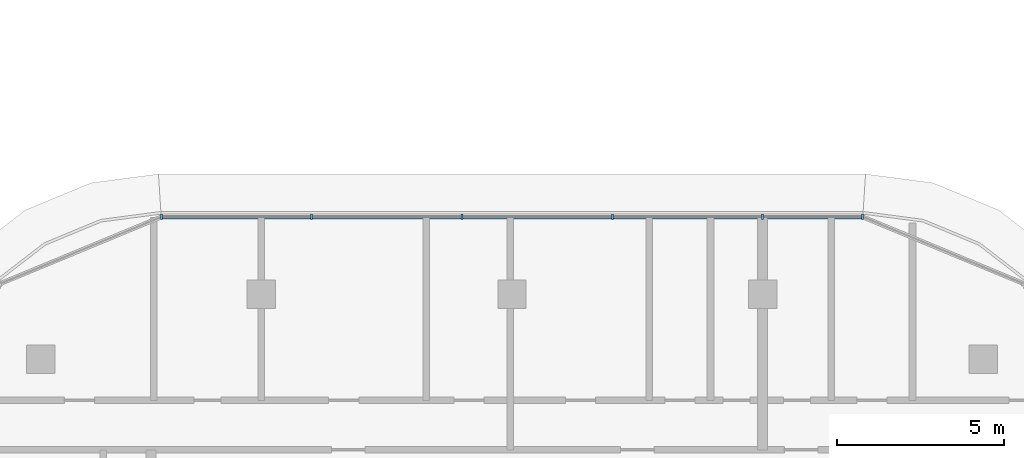
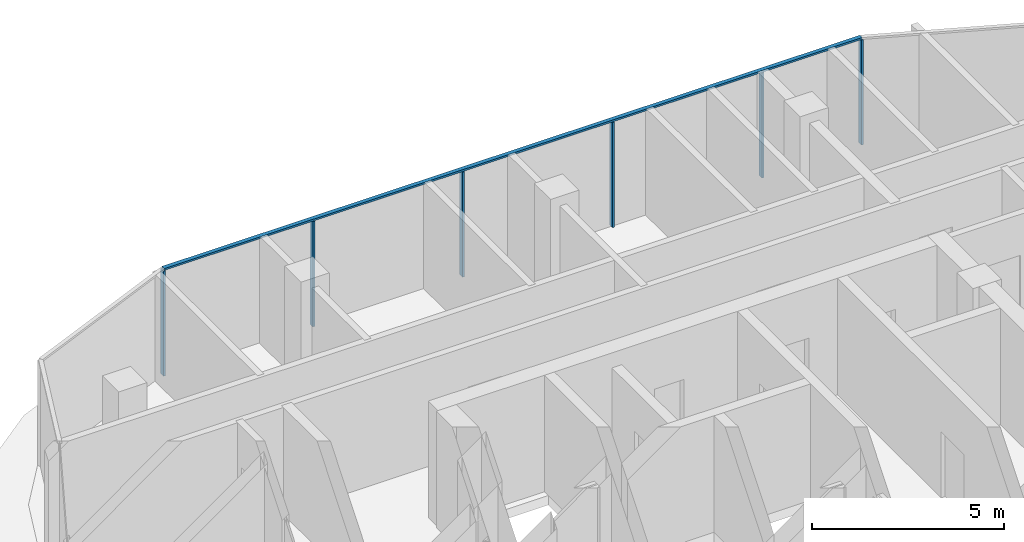
# One storey, part 14 of 36: 7 members, 1 element without a shape of its own.
"""IFC4 building model written with IfcOpenShell, lengths in metres."""

from ifc_helpers import new_model, si_unit, direction, frame, origin, origin_2d, place, context, subcontext, project, spatial, rectangle, extrude, material, material_profile, profile_set, type_object, element, aggregate, save


model = new_model("IFC4")

# Units and contexts
model_context = context("Model", 3, precision=1e-05, world=origin(), true_north=direction((0.0, 1.0)))
body_context = subcontext(model_context, "Body", "Model", "MODEL_VIEW")
ifc_project = project(units=[si_unit("LENGTHUNIT", "METRE"), si_unit("AREAUNIT", "SQUARE_METRE"), si_unit("VOLUMEUNIT", "CUBIC_METRE"), si_unit("PLANEANGLEUNIT", "RADIAN"), si_unit("MASSUNIT", "GRAM", prefix="KILO")], contexts=[model_context])

# Site, building, storey
site_placement = place(None, origin())
site = spatial("IfcSite", under=ifc_project, at=site_placement, CompositionType="ELEMENT")
building_placement = place(site_placement, origin())
building = spatial("IfcBuilding", under=site, at=building_placement, Name="Ogive Portal Towers", CompositionType="ELEMENT")
storey_placement = place(building_placement, frame((0.0, 0.0, 63.10009765625)))
storey = spatial("IfcBuildingStorey", under=building, at=storey_placement, Name="L14", CompositionType="ELEMENT", Elevation=63.10009765625)

# Curtain wall, members
ifc_material_1 = material(Name="Glass, clear low-iron insulated glazing", Category="glass")
curtain_wall_type = type_object("IfcCurtainWallType", Name="CW RESIDENCES RIBBON", PredefinedType="NOTDEFINED", material=ifc_material_1)
curtain_wall_placement = place(storey_placement, origin())
curtain_wall = element("IfcCurtainWall", 1, at=curtain_wall_placement, inside=storey, type_object=curtain_wall_type, Name="B:L14:f08:cw0", PredefinedType="NOTDEFINED")
ifc_material_2 = material(Name="Aluminium 6063 anodised", Category="aluminium")
ifc_material_profile_1 = material_profile(ifc_material_2, rectangle(XDim=0.159912109375, YDim=0.06005859375, at=origin_2d()), Name="AL 60x160")
ifc_profile_set_1 = profile_set([ifc_material_profile_1], Name="Aluminium 6063 anodised")
member_type_1 = type_object("IfcMemberType", Name="CW MULLION 60x160", PredefinedType="MULLION", material=ifc_profile_set_1)
member_1_placement = place(storey_placement, frame((146.984130859375, 46.820068359375, 0.0), z_axis=(0.0, 0.0, 1.0), x_axis=(0.0, -1.0, 0.0)))
member_1 = element("IfcMember", 2, at=member_1_placement, type_object=member_type_1, Name="mullion", PredefinedType="MULLION", context=body_context, shape_type="SweptSolid", body=[
    extrude(rectangle(XDim=0.159912109375, YDim=0.06005859375, at=origin_2d()), origin(), (0.0, 0.0, 1.0), 3.33984375),
])
member_2_placement = place(storey_placement, frame((144.0, 46.820068359375, 0.0), z_axis=(0.0, 0.0, 1.0), x_axis=(0.0, -1.0, 0.0)))
member_2 = element("IfcMember", 3, at=member_2_placement, type_object=member_type_1, Name="mullion", PredefinedType="MULLION", context=body_context, shape_type="SweptSolid", body=[
    extrude(rectangle(XDim=0.159912109375, YDim=0.06005859375, at=origin_2d()), origin(), (0.0, 0.0, 1.0), 3.33984375),
])
member_3_placement = place(storey_placement, frame((139.5, 46.820068359375, 0.0), z_axis=(0.0, 0.0, 1.0), x_axis=(0.0, -1.0, 0.0)))
member_3 = element("IfcMember", 4, at=member_3_placement, type_object=member_type_1, Name="mullion", PredefinedType="MULLION", context=body_context, shape_type="SweptSolid", body=[
    extrude(rectangle(XDim=0.159912109375, YDim=0.06005859375, at=origin_2d()), origin(), (0.0, 0.0, 1.0), 3.33984375),
])
member_4_placement = place(storey_placement, frame((135.0, 46.820068359375, 0.0), z_axis=(0.0, 0.0, 1.0), x_axis=(0.0, -1.0, 0.0)))
member_4 = element("IfcMember", 5, at=member_4_placement, type_object=member_type_1, Name="mullion", PredefinedType="MULLION", context=body_context, shape_type="SweptSolid", body=[
    extrude(rectangle(XDim=0.159912109375, YDim=0.06005859375, at=origin_2d()), origin(), (0.0, 0.0, 1.0), 3.33984375),
])
member_5_placement = place(storey_placement, frame((130.5, 46.820068359375, 0.0), z_axis=(0.0, 0.0, 1.0), x_axis=(0.0, -1.0, 0.0)))
member_5 = element("IfcMember", 6, at=member_5_placement, type_object=member_type_1, Name="mullion", PredefinedType="MULLION", context=body_context, shape_type="SweptSolid", body=[
    extrude(rectangle(XDim=0.159912109375, YDim=0.06005859375, at=origin_2d()), origin(), (0.0, 0.0, 1.0), 3.33984375),
])
member_6_placement = place(storey_placement, frame((126.015869140625, 46.820068359375, 0.0), z_axis=(0.0, 0.0, 1.0), x_axis=(0.0, -1.0, 0.0)))
member_6 = element("IfcMember", 7, at=member_6_placement, type_object=member_type_1, Name="mullion", PredefinedType="MULLION", context=body_context, shape_type="SweptSolid", body=[
    extrude(rectangle(XDim=0.159912109375, YDim=0.06005859375, at=origin_2d()), origin(), (0.0, 0.0, 1.0), 3.33984375),
])
ifc_material_profile_2 = material_profile(ifc_material_2, rectangle(XDim=0.1201171875, YDim=0.06005859375, at=origin_2d()), Name="AL 120x60")
ifc_profile_set_2 = profile_set([ifc_material_profile_2], Name="Aluminium 6063 anodised")
member_type_2 = type_object("IfcMemberType", Name="CW TRANSOM 60x120", PredefinedType="USERDEFINED", material=ifc_profile_set_2)
member_7_placement = place(storey_placement, frame((146.984130859375, 46.820068359375, 3.369873046875), z_axis=(-1.0, 0.0, 0.0), x_axis=(0.0, -1.0, 0.0)))
member_7 = element("IfcMember", 8, at=member_7_placement, type_object=member_type_2, Name="transom", ObjectType="TRANSOM", PredefinedType="USERDEFINED", context=body_context, shape_type="SweptSolid", body=[
    extrude(rectangle(XDim=0.1201171875, YDim=0.06005859375, at=origin_2d()), origin(), (0.0, 0.0, 1.0), 20.96826171875),
])
aggregate(curtain_wall, [member_7, member_1, member_2, member_3, member_4, member_5, member_6])

save(model, "model.ifc")
